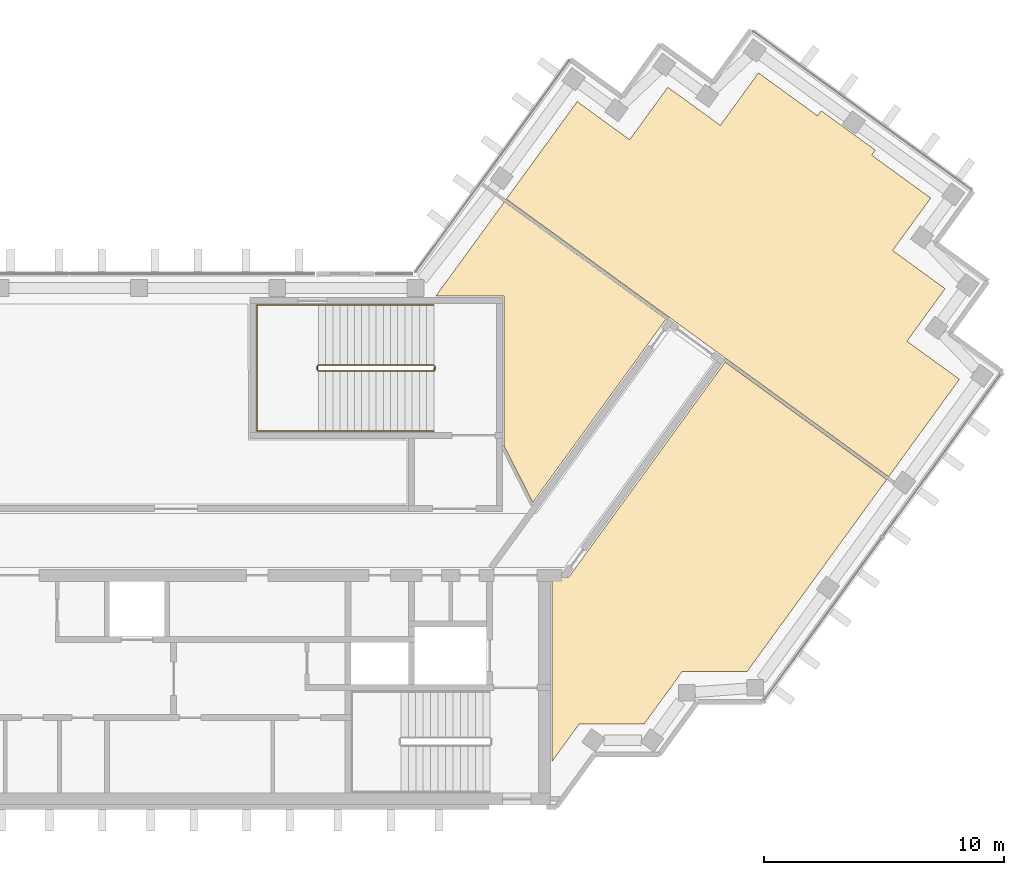
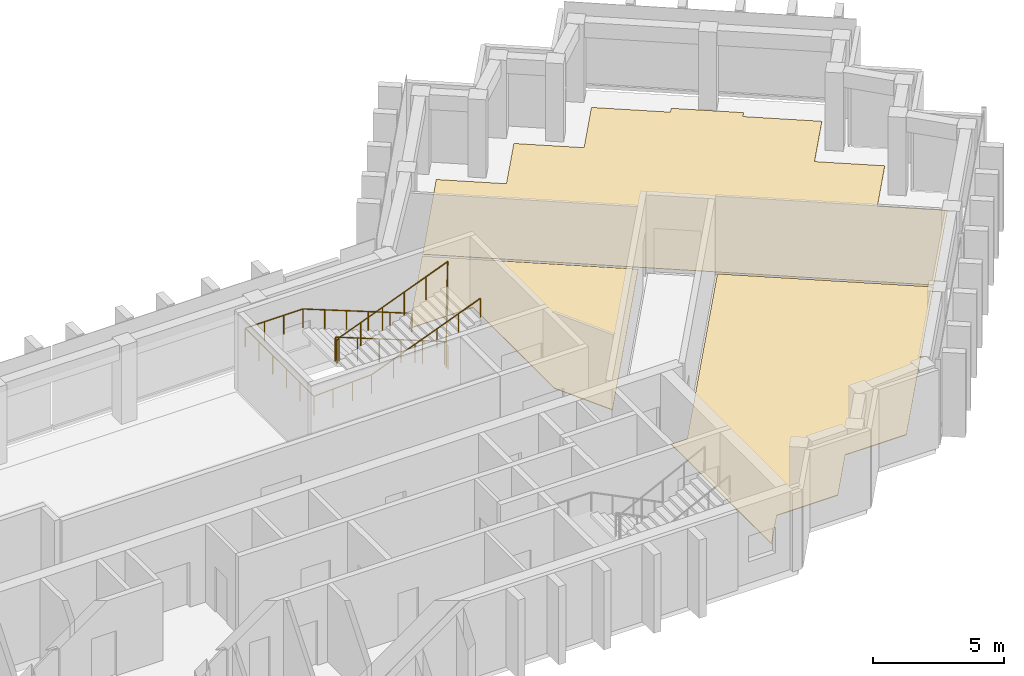
# One storey, part 9 of 9: 3 coverings, 2 railings.
"""IFC4 building model written with IfcOpenShell, lengths in metres."""

from ifc_helpers import new_model, si_unit, direction, frame, origin, origin_2d, place, context, subcontext, project, spatial, polyline, circle, outline, extrude, material, layer, layer_set, type_object, element, save


model = new_model("IFC4")

# Units and contexts
model_context = context("Model", 3, precision=1e-05, world=origin(), true_north=direction((0.0, 1.0)))
body_context = subcontext(model_context, "Body", "Model", "MODEL_VIEW")
ifc_project = project(units=[si_unit("LENGTHUNIT", "METRE"), si_unit("AREAUNIT", "SQUARE_METRE"), si_unit("VOLUMEUNIT", "CUBIC_METRE"), si_unit("PLANEANGLEUNIT", "RADIAN"), si_unit("MASSUNIT", "GRAM", prefix="KILO")], contexts=[model_context])

# Site, building, storey
site_placement = place(None, origin())
site = spatial("IfcSite", under=ifc_project, at=site_placement, CompositionType="ELEMENT")
building_placement = place(site_placement, origin())
building = spatial("IfcBuilding", under=site, at=building_placement, Name="Quipu Civic Tower", CompositionType="ELEMENT")
storey_placement = place(building_placement, frame((0.0, 0.0, 307.0)))
storey = spatial("IfcBuildingStorey", under=building, at=storey_placement, Name="L71", CompositionType="ELEMENT", Elevation=307.0)

# Coverings
ifc_material_1 = material(Name="Carpet tile on raised access floor")
ifc_layer_1 = layer(ifc_material_1, 0.02001953125)
ifc_layer_set_1 = layer_set([ifc_layer_1], Name="Carpet tile on raised access floor")
covering_type_1 = type_object("IfcCoveringType", Name="Carpet tile floor finish 20", PredefinedType="FLOORING", material=ifc_layer_set_1)
covering_1_placement = place(storey_placement, origin())
element("IfcCovering", 1, at=covering_1_placement, inside=storey, type_object=covering_type_1, Name="Carpet tile floor finish 20", PredefinedType="FLOORING", context=body_context, shape_type="SweptSolid", body=[
    extrude(outline(polyline([(18.172119140625, 14.20703125), (21.116943359375, 18.260986328125), (23.301025390625, 16.675048828125), (24.887939453125, 18.85791015625), (27.073974609375, 17.27197265625), (28.658935546875, 19.455078125), (31.116943359375, 17.6708984375), (31.27099609375, 17.8798828125), (33.52197265625, 16.2451171875), (33.3701171875, 16.032958984375), (35.826904296875, 14.248046875), (34.240966796875, 12.06396484375), (36.425048828125, 10.47607421875), (34.839111328125, 8.291015625), (37.02197265625, 6.7060546875), (34.077880859375, 2.652099609375), (18.172119140625, 14.20703125)])), origin(), (0.0, 0.0, 1.0), 0.02001953125),
])
ifc_material_2 = material(Name="Ceramic floor tile")
ifc_layer_2 = layer(ifc_material_2, 0.030029296875)
ifc_layer_set_2 = layer_set([ifc_layer_2], Name="Ceramic floor tile")
covering_type_2 = type_object("IfcCoveringType", Name="Ceramic tile floor finish 30", PredefinedType="FLOORING", material=ifc_layer_set_2)
covering_2_placement = place(storey_placement, origin())
element("IfcCovering", 2, at=covering_2_placement, inside=storey, type_object=covering_type_2, Name="Ceramic tile floor finish 30", PredefinedType="FLOORING", context=body_context, shape_type="SweptSolid", body=[
    extrude(outline(polyline([(15.238037109375, 10.169921875), (18.089111328125, 14.093994140625), (24.81201171875, 9.2109375), (19.27197265625, 1.583984375), (18.070068359375, 3.94189453125), (18.070068359375, 10.1689453125), (15.238037109375, 10.169921875)])), origin(), (0.0, 0.0, 1.0), 0.030029296875),
])
covering_3_placement = place(storey_placement, origin())
element("IfcCovering", 3, at=covering_3_placement, inside=storey, type_object=covering_type_2, Name="Ceramic tile floor finish 30", PredefinedType="FLOORING", context=body_context, shape_type="SweptSolid", body=[
    extrude(outline(polyline([(20.070068359375, -9.195068359375), (20.070068359375, -1.52001953125), (20.77490234375, -1.51904296875), (27.27197265625, 7.423095703125), (33.9951171875, 2.5390625), (28.181884765625, -5.4609375), (25.48193359375, -5.4619140625), (23.89501953125, -7.64599609375), (21.196044921875, -7.64599609375), (20.070068359375, -9.195068359375)])), origin(), (0.0, 0.0, 1.0), 0.030029296875),
])

# Railings
ifc_material_3 = material(Name="Stainless steel", Category="steel")
railing_type_1 = type_object("IfcRailingType", Name="Stair guard 1100", PredefinedType="GUARDRAIL", material=ifc_material_3)
railing_1_placement = place(storey_placement, frame((15.14990234375, 7.300048828125, 0.11767578125)))
element("IfcRailing", 4, at=railing_1_placement, inside=storey, type_object=railing_type_1, Name="Stair 4 guard", PredefinedType="GUARDRAIL", context=body_context, shape_type="SweptSolid", body=[
    extrude(circle(Radius=0.02392578125, at=origin_2d()), frame((0.0, 0.0, 1.076171875), z_axis=(-0.930970042603, 0.0, 0.365095576219), x_axis=(0.0, -1.0, 0.0)), (0.0, 0.0, 1.0), 5.15576171875),
    extrude(circle(Radius=0.02392578125, at=origin_2d()), frame((-4.7998046875, 0.0, 2.95849609375), z_axis=(-0.707106781187, -0.707106781187, 0.0), x_axis=(0.707106781187, -0.707106781187, 0.0)), (0.0, 0.0, 1.0), 0.07080078125),
    extrude(circle(Radius=0.02392578125, at=origin_2d()), frame((-4.849853515625, -0.050048828125, 2.95849609375), z_axis=(0.0, -1.0, 0.0), x_axis=(1.0, 0.0, 0.0)), (0.0, 0.0, 1.0), 0.14990234375),
    extrude(circle(Radius=0.02392578125, at=origin_2d()), frame((-4.849853515625, -0.199951171875, 2.95849609375), z_axis=(0.364463019033, -0.364463019033, 0.856932561824), x_axis=(0.707106781187, 0.707106781187, 0.0)), (0.0, 0.0, 1.0), 0.13720703125),
    extrude(circle(Radius=0.02392578125, at=origin_2d()), frame((-4.7998046875, -0.25, 3.076171875), z_axis=(0.930970042603, 0.0, 0.365095576219), x_axis=(0.0, 1.0, 0.0)), (0.0, 0.0, 1.0), 5.15576171875),
    extrude(circle(Radius=0.02392578125, at=origin_2d()), frame((0.0, -0.25, 4.95849609375), z_axis=(0.012495627992, 0.049921557685, -0.998674970829), x_axis=(-0.970072785993, 0.242814311512, 0.0)), (0.0, 0.0, 1.0), 4.00537109375),
    extrude(circle(Radius=0.02392578125, at=origin_2d()), frame((0.050048828125, -0.050048828125, 0.95849609375), z_axis=(0.0, -1.0, 0.0), x_axis=(1.0, 0.0, 0.0)), (0.0, 0.0, 1.0), 0.14990234375),
    extrude(circle(Radius=0.02099609375, at=origin_2d()), origin(), (0.0, 0.0, 1.0), 1.052001953125),
    extrude(circle(Radius=0.02099609375, at=origin_2d()), frame((-0.9599609375, 0.0, 0.37646484375)), (0.0, 0.0, 1.0), 1.052001953125),
    extrude(circle(Radius=0.02099609375, at=origin_2d()), frame((-1.919921875, 0.0, 0.7529296875)), (0.0, 0.0, 1.0), 1.052001953125),
    extrude(circle(Radius=0.02099609375, at=origin_2d()), frame((-2.8798828125, 0.0, 1.12939453125)), (0.0, 0.0, 1.0), 1.052001953125),
    extrude(circle(Radius=0.02099609375, at=origin_2d()), frame((-3.83984375, 0.0, 1.505859375)), (0.0, 0.0, 1.0), 1.052001953125),
    extrude(circle(Radius=0.02099609375, at=origin_2d()), frame((-4.7998046875, 0.0, 1.88232421875)), (0.0, 0.0, 1.0), 1.052001953125),
    extrude(circle(Radius=0.02099609375, at=origin_2d()), frame((-4.849853515625, -0.050048828125, 1.88232421875)), (0.0, 0.0, 1.0), 1.052001953125),
    extrude(circle(Radius=0.02099609375, at=origin_2d()), frame((-4.849853515625, -0.199951171875, 1.88232421875)), (0.0, 0.0, 1.0), 1.052001953125),
    extrude(circle(Radius=0.02099609375, at=origin_2d()), frame((-4.7998046875, -0.25, 2.0)), (0.0, 0.0, 1.0), 1.052001953125),
    extrude(circle(Radius=0.02099609375, at=origin_2d()), frame((-3.83984375, -0.25, 2.37646484375)), (0.0, 0.0, 1.0), 1.052001953125),
    extrude(circle(Radius=0.02099609375, at=origin_2d()), frame((-2.8798828125, -0.25, 2.7529296875)), (0.0, 0.0, 1.0), 1.052001953125),
    extrude(circle(Radius=0.02099609375, at=origin_2d()), frame((-1.919921875, -0.25, 3.12939453125)), (0.0, 0.0, 1.0), 1.052001953125),
    extrude(circle(Radius=0.02099609375, at=origin_2d()), frame((-0.9599609375, -0.25, 3.505859375)), (0.0, 0.0, 1.0), 1.052001953125),
    extrude(circle(Radius=0.02099609375, at=origin_2d()), frame((0.0, -0.25, 3.88232421875)), (0.0, 0.0, 1.0), 1.052001953125),
    extrude(circle(Radius=0.02099609375, at=origin_2d()), frame((0.012451171875, -0.199951171875, 2.88232421875)), (0.0, 0.0, 1.0), 1.052001953125),
    extrude(circle(Radius=0.02099609375, at=origin_2d()), frame((0.02490234375, -0.14990234375, 1.88232421875)), (0.0, 0.0, 1.0), 1.052001953125),
    extrude(circle(Radius=0.02099609375, at=origin_2d()), frame((0.03759765625, -0.10009765625, 0.88232421875)), (0.0, 0.0, 1.0), 1.052001953125),
    extrude(circle(Radius=0.02099609375, at=origin_2d()), frame((0.050048828125, -0.050048828125, -0.11767578125)), (0.0, 0.0, 1.0), 1.052001953125),
    extrude(circle(Radius=0.02099609375, at=origin_2d()), frame((0.050048828125, -0.199951171875, -0.11767578125)), (0.0, 0.0, 1.0), 1.052001953125),
])
ifc_material_4 = material(Name="Stainless steel", Category="steel")
railing_type_2 = type_object("IfcRailingType", Name="Stair handrail", PredefinedType="HANDRAIL", material=ifc_material_4)
railing_2_placement = place(storey_placement, frame((15.14990234375, 9.800048828125, 0.11767578125)))
element("IfcRailing", 5, at=railing_2_placement, inside=storey, type_object=railing_type_2, Name="Stair 4 handrail", PredefinedType="HANDRAIL", context=body_context, shape_type="SweptSolid", body=[
    extrude(circle(Radius=0.02392578125, at=origin_2d()), frame((0.0, 0.0, 0.8759765625), z_axis=(-0.930970042603, 0.0, 0.365095576219), x_axis=(0.0, -1.0, 0.0)), (0.0, 0.0, 1.0), 5.15576171875),
    extrude(circle(Radius=0.02392578125, at=origin_2d()), frame((-4.7998046875, 0.0, 2.75830078125), z_axis=(-1.0, 0.0, 0.0), x_axis=(0.0, -1.0, 0.0)), (0.0, 0.0, 1.0), 2.550048828125),
    extrude(circle(Radius=0.02392578125, at=origin_2d()), frame((-7.349853515625, 0.0, 2.75830078125), z_axis=(0.0, -1.0, 0.0), x_axis=(1.0, 0.0, 0.0)), (0.0, 0.0, 1.0), 5.25),
    extrude(circle(Radius=0.02392578125, at=origin_2d()), frame((-7.349853515625, -5.25, 2.75830078125), z_axis=(0.998936948642, 0.0, 0.04609742549), x_axis=(0.0, 1.0, 0.0)), (0.0, 0.0, 1.0), 2.552734375),
    extrude(circle(Radius=0.02392578125, at=origin_2d()), frame((-4.7998046875, -5.25, 2.8759765625), z_axis=(0.930970042603, 0.0, 0.365095576219), x_axis=(0.0, 1.0, 0.0)), (0.0, 0.0, 1.0), 5.15576171875),
    extrude(circle(Radius=0.02099609375, at=origin_2d()), origin(), (0.0, 0.0, 1.0), 0.851806640625),
    extrude(circle(Radius=0.02099609375, at=origin_2d()), frame((-0.9599609375, 0.0, 0.37646484375)), (0.0, 0.0, 1.0), 0.851806640625),
    extrude(circle(Radius=0.02099609375, at=origin_2d()), frame((-1.919921875, 0.0, 0.7529296875)), (0.0, 0.0, 1.0), 0.851806640625),
    extrude(circle(Radius=0.02099609375, at=origin_2d()), frame((-2.8798828125, 0.0, 1.12939453125)), (0.0, 0.0, 1.0), 0.851806640625),
    extrude(circle(Radius=0.02099609375, at=origin_2d()), frame((-3.83984375, 0.0, 1.505859375)), (0.0, 0.0, 1.0), 0.851806640625),
    extrude(circle(Radius=0.02099609375, at=origin_2d()), frame((-4.7998046875, 0.0, 1.88232421875)), (0.0, 0.0, 1.0), 0.851806640625),
    extrude(circle(Radius=0.02099609375, at=origin_2d()), frame((-5.64990234375, 0.0, 1.88232421875)), (0.0, 0.0, 1.0), 0.851806640625),
    extrude(circle(Radius=0.02099609375, at=origin_2d()), frame((-6.499755859375, 0.0, 1.88232421875)), (0.0, 0.0, 1.0), 0.851806640625),
    extrude(circle(Radius=0.02099609375, at=origin_2d()), frame((-7.349853515625, 0.0, 1.88232421875)), (0.0, 0.0, 1.0), 0.851806640625),
    extrude(circle(Radius=0.02099609375, at=origin_2d()), frame((-7.349853515625, -1.050048828125, 1.88232421875)), (0.0, 0.0, 1.0), 0.851806640625),
    extrude(circle(Radius=0.02099609375, at=origin_2d()), frame((-7.349853515625, -2.10009765625, 1.88232421875)), (0.0, 0.0, 1.0), 0.851806640625),
    extrude(circle(Radius=0.02099609375, at=origin_2d()), frame((-7.349853515625, -3.14990234375, 1.88232421875)), (0.0, 0.0, 1.0), 0.851806640625),
    extrude(circle(Radius=0.02099609375, at=origin_2d()), frame((-7.349853515625, -4.199951171875, 1.88232421875)), (0.0, 0.0, 1.0), 0.851806640625),
    extrude(circle(Radius=0.02099609375, at=origin_2d()), frame((-7.349853515625, -5.25, 1.88232421875)), (0.0, 0.0, 1.0), 0.851806640625),
    extrude(circle(Radius=0.02099609375, at=origin_2d()), frame((-6.499755859375, -5.25, 1.921630859375)), (0.0, 0.0, 1.0), 0.851806640625),
    extrude(circle(Radius=0.02099609375, at=origin_2d()), frame((-5.64990234375, -5.25, 1.960693359375)), (0.0, 0.0, 1.0), 0.851806640625),
    extrude(circle(Radius=0.02099609375, at=origin_2d()), frame((-4.7998046875, -5.25, 2.0)), (0.0, 0.0, 1.0), 0.851806640625),
    extrude(circle(Radius=0.02099609375, at=origin_2d()), frame((-3.83984375, -5.25, 2.37646484375)), (0.0, 0.0, 1.0), 0.851806640625),
    extrude(circle(Radius=0.02099609375, at=origin_2d()), frame((-2.8798828125, -5.25, 2.7529296875)), (0.0, 0.0, 1.0), 0.851806640625),
    extrude(circle(Radius=0.02099609375, at=origin_2d()), frame((-1.919921875, -5.25, 3.12939453125)), (0.0, 0.0, 1.0), 0.851806640625),
    extrude(circle(Radius=0.02099609375, at=origin_2d()), frame((-0.9599609375, -5.25, 3.505859375)), (0.0, 0.0, 1.0), 0.851806640625),
    extrude(circle(Radius=0.02099609375, at=origin_2d()), frame((0.0, -5.25, 3.88232421875)), (0.0, 0.0, 1.0), 0.851806640625),
])

save(model, "model.ifc")
